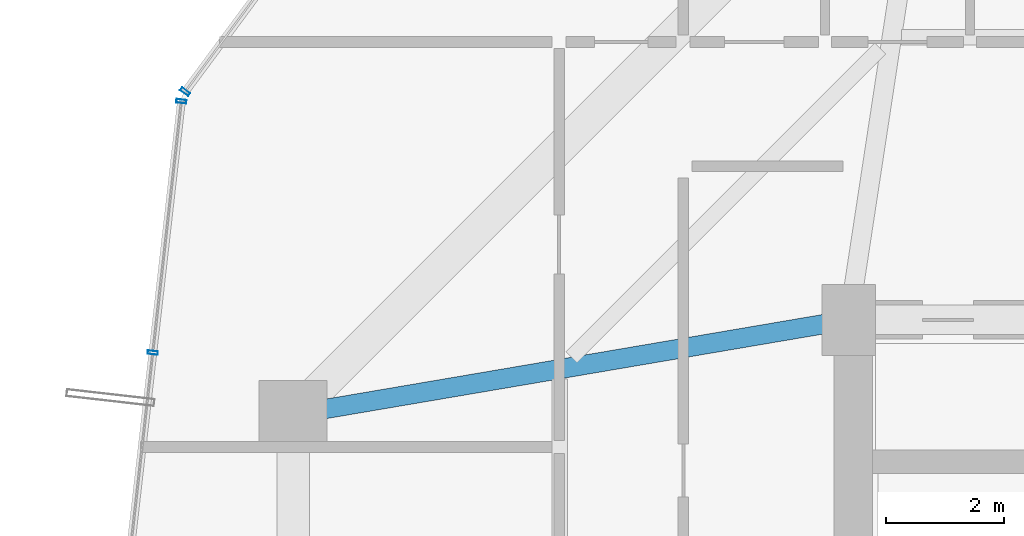
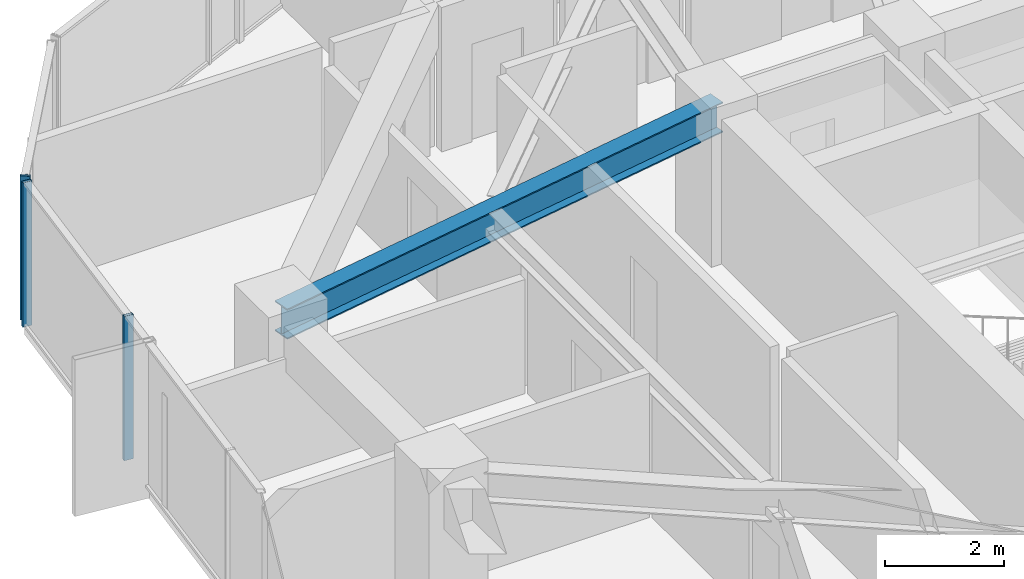
# One storey, part 12 of 29: 3 members, 1 beam, 2 elements without a shape of their own.
"""IFC4 building model written with IfcOpenShell, lengths in metres."""

from ifc_helpers import new_model, si_unit, direction, frame, origin, origin_2d, place, context, subcontext, project, spatial, hollow_rectangle, i_section, extrude, source, transform, mapped, material, layer, layer_set, material_profile, profile_set, type_object, element, aggregate, save


model = new_model("IFC4")

# Units and contexts
model_context = context("Model", 3, precision=1e-05, world=origin(), true_north=direction((0.0, 1.0)))
body_context = subcontext(model_context, "Body", "Model", "MODEL_VIEW")
ifc_project = project(units=[si_unit("LENGTHUNIT", "METRE"), si_unit("AREAUNIT", "SQUARE_METRE"), si_unit("VOLUMEUNIT", "CUBIC_METRE"), si_unit("PLANEANGLEUNIT", "RADIAN"), si_unit("MASSUNIT", "GRAM", prefix="KILO")], contexts=[model_context])

# Site, building, storey
site_placement = place(None, origin())
site = spatial("IfcSite", under=ifc_project, at=site_placement, CompositionType="ELEMENT")
building_placement = place(site_placement, origin())
building = spatial("IfcBuilding", under=site, at=building_placement, Name="Veraguas Prism Commons", CompositionType="ELEMENT")
storey_placement = place(building_placement, frame((0.0, 0.0, 105.699951171875)))
storey = spatial("IfcBuildingStorey", under=building, at=storey_placement, Name="L29", CompositionType="ELEMENT", Elevation=105.699951171875)

# Beam
ifc_material_1 = material(Name="Steel ASTM A992 Grade 50", Category="steel")
ifc_material_profile_1 = material_profile(ifc_material_1, i_section(OverallWidth=0.327880859375, OverallDepth=0.6220703125, WebThickness=0.015380859375, FlangeThickness=0.0244140625, at=origin_2d()), Name="W610X195")
ifc_profile_set_1 = profile_set([ifc_material_profile_1], Name="Steel ASTM A992 Grade 50")
beam_type = type_object("IfcBeamType", Name="Zone 2 Radial Girder W610x195", PredefinedType="BEAM", material=ifc_profile_set_1)
beam_placement = place(storey_placement, frame((7.800048828125, 29.39990234375, 2.658935546875), z_axis=(0.985819187151, 0.1678109956, 0.0), x_axis=(-0.1678109956, 0.985819187151, 0.0)))
element("IfcBeam", 1, at=beam_placement, inside=storey, type_object=beam_type, Name="Radial Floor Girder L29-RD07", PredefinedType="BEAM", context=body_context, shape_type="SweptSolid", body=[
    extrude(i_section(OverallWidth=0.327880859375, OverallDepth=0.6220703125, WebThickness=0.015380859375, FlangeThickness=0.0244140625, at=origin_2d()), origin(), (0.0, 0.0, 1.0), 9.53515625),
])

# Curtain wall, members
ifc_material_2 = material(Name="Anodised aluminium EN AW-6063 T6", Category="aluminium")
ifc_layer = layer(ifc_material_2, 0.169921875, Name="Unitised Flush Curtain Wall Zone 2", Category="aluminium")
ifc_layer_set = layer_set([ifc_layer], Name="Anodised aluminium EN AW-6063 T6")
curtain_wall_type = type_object("IfcCurtainWallType", Name="Unitised Flush Curtain Wall Zone 2", PredefinedType="NOTDEFINED", material=ifc_layer_set)
curtain_wall_1_placement = place(storey_placement, origin())
curtain_wall_1 = element("IfcCurtainWall", 2, at=curtain_wall_1_placement, inside=storey, type_object=curtain_wall_type, Name="Tower Facade Curtain Wall L29-F3", PredefinedType="NOTDEFINED")
ifc_material_profile_2 = material_profile(ifc_material_2, hollow_rectangle(XDim=0.06005859375, YDim=0.169921875, WallThickness=0.00390625, at=origin_2d()), Name="AL60X170X4")
ifc_profile_set_2 = profile_set([ifc_material_profile_2], Name="Anodised aluminium EN AW-6063 T6")
member_type = type_object("IfcMemberType", Name="Curtain Wall Mullion Lower AL 60x170x4", PredefinedType="MULLION", material=ifc_profile_set_2)
shared_shape = source(origin(), body_context, "Body", "SweptSolid", [
    extrude(hollow_rectangle(XDim=0.06005859375, YDim=0.169921875, WallThickness=0.00390625, at=origin_2d()), origin(), (0.0, 0.0, 1.0), 2.969970703125),
])
member_1_placement = place(storey_placement, frame((5.9091796875, 34.697265625, 0.0), z_axis=(0.0, 0.0, 1.0), x_axis=(-0.112856384873, -0.99361131052, 0.0)))
member_1 = element("IfcMember", 3, at=member_1_placement, type_object=member_type, Name="CW-Z2 Mullion 1", PredefinedType="MULLION", context=body_context, shape_type="MappedRepresentation", body=[
    mapped(shared_shape, transform((0.0, 0.0, 0.0), scale=1.0)),
])
member_2_placement = place(storey_placement, frame((5.42626953125, 30.446044921875, 0.0), z_axis=(0.0, 0.0, 1.0), x_axis=(-0.112856384873, -0.99361131052, 0.0)))
member_2 = element("IfcMember", 4, at=member_2_placement, type_object=member_type, Name="CW-Z2 Mullion 2", PredefinedType="MULLION", context=body_context, shape_type="MappedRepresentation", body=[
    mapped(shared_shape, transform((0.0, 0.0, 0.0), scale=1.0)),
])
aggregate(curtain_wall_1, [member_1, member_2])

# Curtain wall, member
curtain_wall_2_placement = place(storey_placement, origin())
curtain_wall_2 = element("IfcCurtainWall", 5, at=curtain_wall_2_placement, inside=storey, type_object=curtain_wall_type, Name="Chamfer Curtain Wall L29-C3", PredefinedType="NOTDEFINED")
member_3_placement = place(storey_placement, frame((5.972900390625, 34.85888671875, 0.0), z_axis=(0.0, 0.0, 1.0), x_axis=(-0.594519697593, -0.804081046397, 0.0)))
member_3 = element("IfcMember", 6, at=member_3_placement, type_object=member_type, Name="CW-Z2 Mullion 2", PredefinedType="MULLION", context=body_context, shape_type="MappedRepresentation", body=[
    mapped(shared_shape, transform((0.0, 0.0, 0.0), scale=1.0)),
])
aggregate(curtain_wall_2, [member_3])

save(model, "model.ifc")
